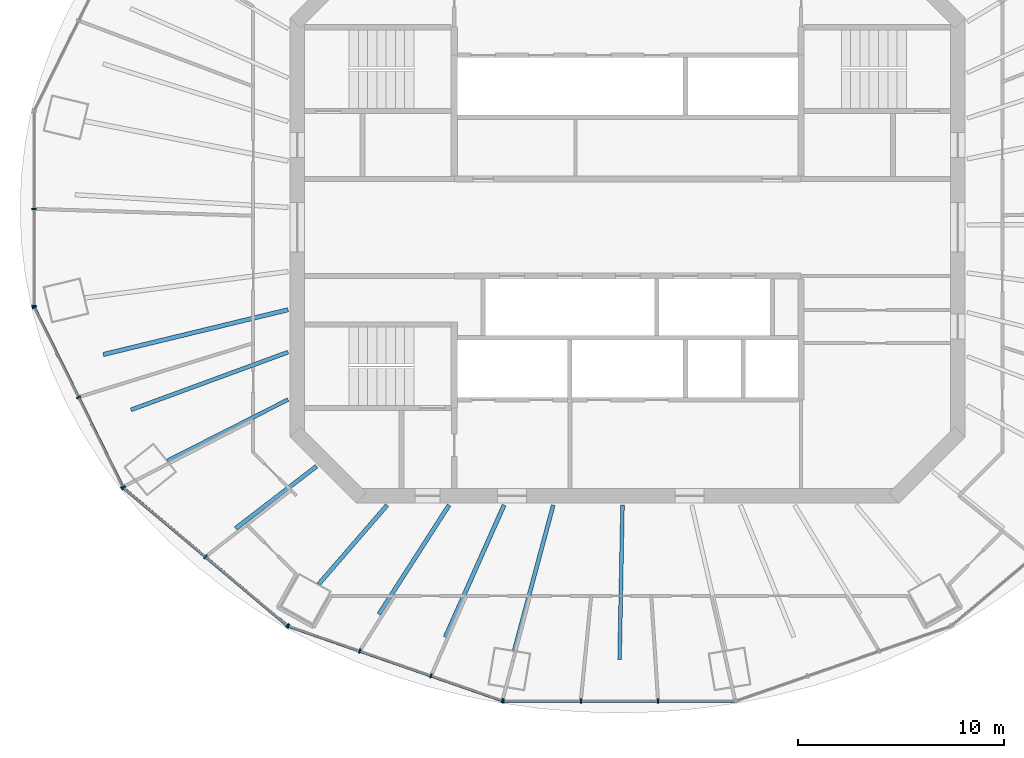
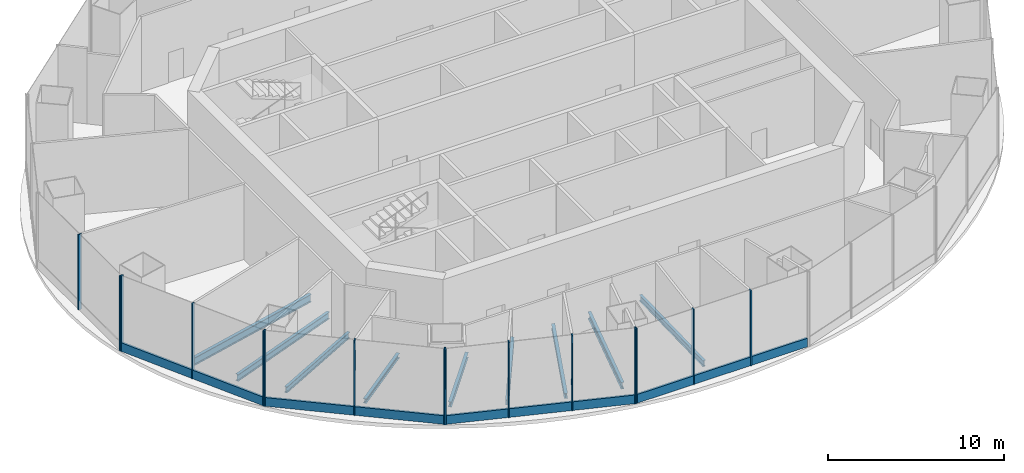
# One storey, part 2 of 12: 19 members, 9 beams, 5 elements without a shape of their own.
"""IFC4 building model written with IfcOpenShell, lengths in metres."""

from ifc_helpers import new_model, si_unit, direction, frame, origin, origin_2d, place, context, subcontext, project, spatial, rectangle, i_section, extrude, material, material_profile, profile_set, type_object, element, aggregate, save


model = new_model("IFC4")

# Units and contexts
model_context = context("Model", 3, precision=1e-05, world=origin(), true_north=direction((0.0, 1.0)))
body_context = subcontext(model_context, "Body", "Model", "MODEL_VIEW")
ifc_project = project(units=[si_unit("LENGTHUNIT", "METRE"), si_unit("AREAUNIT", "SQUARE_METRE"), si_unit("VOLUMEUNIT", "CUBIC_METRE"), si_unit("PLANEANGLEUNIT", "RADIAN"), si_unit("MASSUNIT", "GRAM", prefix="KILO")], contexts=[model_context])

# Site, building, storey
site_placement = place(None, origin())
site = spatial("IfcSite", under=ifc_project, at=site_placement, CompositionType="ELEMENT")
building_placement = place(site_placement, origin())
building = spatial("IfcBuilding", under=site, at=building_placement, Name="Marenthal Gate Tower", CompositionType="ELEMENT")
storey_placement = place(building_placement, frame((0.0, 0.0, 279.10009765625)))
storey = spatial("IfcBuildingStorey", under=building, at=storey_placement, Name="L62", CompositionType="ELEMENT", Elevation=279.10009765625)

# Curtain wall, members
ifc_material_1 = material(Name="Aluminium and glass", Category="aluminium")
curtain_wall_type = type_object("IfcCurtainWallType", Name="Curtain wall sky lobby", PredefinedType="NOTDEFINED", material=ifc_material_1)
curtain_wall_1_placement = place(storey_placement, origin())
curtain_wall_1 = element("IfcCurtainWall", 1, at=curtain_wall_1_placement, inside=storey, type_object=curtain_wall_type, Name="Curtain wall L62 bay 8", PredefinedType="NOTDEFINED")
ifc_material_2 = material(Name="Aluminium", Category="aluminium")
ifc_material_profile_1 = material_profile(ifc_material_2, rectangle(XDim=0.219970703125, YDim=0.070068359375, at=origin_2d()), Name="70x220 aluminium mullion")
ifc_profile_set_1 = profile_set([ifc_material_profile_1], Name="Aluminium")
member_type_1 = type_object("IfcMemberType", Name="Mullion 70x220 sky lobby", PredefinedType="MULLION", material=ifc_profile_set_1)
member_1_placement = place(storey_placement, frame((-28.76220703125, 0.89990234375, 0.0), z_axis=(0.0, 0.0, 1.0), x_axis=(1.0, 0.0, 0.0)))
member_1 = element("IfcMember", 2, at=member_1_placement, type_object=member_type_1, Name="Mullion L62 bay 8.2", PredefinedType="MULLION", context=body_context, shape_type="SweptSolid", body=[
    extrude(rectangle(XDim=0.219970703125, YDim=0.070068359375, at=origin_2d()), origin(), (0.0, 0.0, 1.0), 5.219970703125),
])
member_2_placement = place(storey_placement, frame((-28.76220703125, -3.811279296875, 0.0), z_axis=(0.0, 0.0, 1.0), x_axis=(1.0, 0.0, 0.0)))
member_2 = element("IfcMember", 3, at=member_2_placement, type_object=member_type_1, Name="Mullion L62 bay 8.3", PredefinedType="MULLION", context=body_context, shape_type="SweptSolid", body=[
    extrude(rectangle(XDim=0.219970703125, YDim=0.070068359375, at=origin_2d()), origin(), (0.0, 0.0, 1.0), 5.219970703125),
])
aggregate(curtain_wall_1, [member_1, member_2])

curtain_wall_2_placement = place(storey_placement, origin())
curtain_wall_2 = element("IfcCurtainWall", 4, at=curtain_wall_2_placement, inside=storey, type_object=curtain_wall_type, Name="Curtain wall L62 bay 9", PredefinedType="NOTDEFINED")
member_3_placement = place(storey_placement, frame((-28.7490234375, -3.8681640625, 0.0), z_axis=(0.0, 0.0, 1.0), x_axis=(0.89697015821, 0.442091093871, 0.0)))
member_3 = element("IfcMember", 5, at=member_3_placement, type_object=member_type_1, Name="Mullion L62 bay 9.1", PredefinedType="MULLION", context=body_context, shape_type="SweptSolid", body=[
    extrude(rectangle(XDim=0.219970703125, YDim=0.070068359375, at=origin_2d()), origin(), (0.0, 0.0, 1.0), 5.219970703125),
])
member_4_placement = place(storey_placement, frame((-26.603271484375, -8.2216796875, 0.0), z_axis=(0.0, 0.0, 1.0), x_axis=(0.89697015821, 0.442091093871, 0.0)))
member_4 = element("IfcMember", 6, at=member_4_placement, type_object=member_type_1, Name="Mullion L62 bay 9.2", PredefinedType="MULLION", context=body_context, shape_type="SweptSolid", body=[
    extrude(rectangle(XDim=0.219970703125, YDim=0.070068359375, at=origin_2d()), origin(), (0.0, 0.0, 1.0), 5.219970703125),
])
member_5_placement = place(storey_placement, frame((-24.457763671875, -12.5751953125, 0.0), z_axis=(0.0, 0.0, 1.0), x_axis=(0.89697015821, 0.442091093871, 0.0)))
member_5 = element("IfcMember", 7, at=member_5_placement, type_object=member_type_1, Name="Mullion L62 bay 9.3", PredefinedType="MULLION", context=body_context, shape_type="SweptSolid", body=[
    extrude(rectangle(XDim=0.219970703125, YDim=0.070068359375, at=origin_2d()), origin(), (0.0, 0.0, 1.0), 5.219970703125),
])

curtain_wall_3_placement = place(storey_placement, origin())
curtain_wall_3 = element("IfcCurtainWall", 8, at=curtain_wall_3_placement, inside=storey, type_object=curtain_wall_type, Name="Curtain wall L62 bay 10", PredefinedType="NOTDEFINED")
member_6_placement = place(storey_placement, frame((-24.42138671875, -12.621337890625, 0.0), z_axis=(0.0, 0.0, 1.0), x_axis=(0.643380191367, 0.76554681722, 0.0)))
member_6 = element("IfcMember", 9, at=member_6_placement, type_object=member_type_1, Name="Mullion L62 bay 10.1", PredefinedType="MULLION", context=body_context, shape_type="SweptSolid", body=[
    extrude(rectangle(XDim=0.219970703125, YDim=0.070068359375, at=origin_2d()), origin(), (0.0, 0.0, 1.0), 5.219970703125),
])
member_7_placement = place(storey_placement, frame((-20.455322265625, -15.95458984375, 0.0), z_axis=(0.0, 0.0, 1.0), x_axis=(0.643380191367, 0.76554681722, 0.0)))
member_7 = element("IfcMember", 10, at=member_7_placement, type_object=member_type_1, Name="Mullion L62 bay 10.2", PredefinedType="MULLION", context=body_context, shape_type="SweptSolid", body=[
    extrude(rectangle(XDim=0.219970703125, YDim=0.070068359375, at=origin_2d()), origin(), (0.0, 0.0, 1.0), 5.219970703125),
])
member_8_placement = place(storey_placement, frame((-16.489013671875, -19.287841796875, 0.0), z_axis=(0.0, 0.0, 1.0), x_axis=(0.643380191367, 0.76554681722, 0.0)))
member_8 = element("IfcMember", 11, at=member_8_placement, type_object=member_type_1, Name="Mullion L62 bay 10.3", PredefinedType="MULLION", context=body_context, shape_type="SweptSolid", body=[
    extrude(rectangle(XDim=0.219970703125, YDim=0.070068359375, at=origin_2d()), origin(), (0.0, 0.0, 1.0), 5.219970703125),
])

curtain_wall_4_placement = place(storey_placement, origin())
curtain_wall_4 = element("IfcCurtainWall", 12, at=curtain_wall_4_placement, inside=storey, type_object=curtain_wall_type, Name="Curtain wall L62 bay 11", PredefinedType="NOTDEFINED")
member_9_placement = place(storey_placement, frame((-16.437744140625, -19.317138671875, 0.0), z_axis=(0.0, 0.0, 1.0), x_axis=(0.328756746245, 0.944414634469, 0.0)))
member_9 = element("IfcMember", 13, at=member_9_placement, type_object=member_type_1, Name="Mullion L62 bay 11.1", PredefinedType="MULLION", context=body_context, shape_type="SweptSolid", body=[
    extrude(rectangle(XDim=0.219970703125, YDim=0.070068359375, at=origin_2d()), origin(), (0.0, 0.0, 1.0), 5.219970703125),
])
member_10_placement = place(storey_placement, frame((-12.981689453125, -20.52001953125, 0.0), z_axis=(0.0, 0.0, 1.0), x_axis=(0.328756746245, 0.944414634469, 0.0)))
member_10 = element("IfcMember", 14, at=member_10_placement, type_object=member_type_1, Name="Mullion L62 bay 11.2", PredefinedType="MULLION", context=body_context, shape_type="SweptSolid", body=[
    extrude(rectangle(XDim=0.219970703125, YDim=0.070068359375, at=origin_2d()), origin(), (0.0, 0.0, 1.0), 5.219970703125),
])
member_11_placement = place(storey_placement, frame((-9.52587890625, -21.72314453125, 0.0), z_axis=(0.0, 0.0, 1.0), x_axis=(0.328756746245, 0.944414634469, 0.0)))
member_11 = element("IfcMember", 15, at=member_11_placement, type_object=member_type_1, Name="Mullion L62 bay 11.3", PredefinedType="MULLION", context=body_context, shape_type="SweptSolid", body=[
    extrude(rectangle(XDim=0.219970703125, YDim=0.070068359375, at=origin_2d()), origin(), (0.0, 0.0, 1.0), 5.219970703125),
])
member_12_placement = place(storey_placement, frame((-6.070068359375, -22.926025390625, 0.0), z_axis=(0.0, 0.0, 1.0), x_axis=(0.328756746245, 0.944414634469, 0.0)))
member_12 = element("IfcMember", 16, at=member_12_placement, type_object=member_type_1, Name="Mullion L62 bay 11.4", PredefinedType="MULLION", context=body_context, shape_type="SweptSolid", body=[
    extrude(rectangle(XDim=0.219970703125, YDim=0.070068359375, at=origin_2d()), origin(), (0.0, 0.0, 1.0), 5.219970703125),
])

curtain_wall_5_placement = place(storey_placement, origin())
curtain_wall_5 = element("IfcCurtainWall", 17, at=curtain_wall_5_placement, inside=storey, type_object=curtain_wall_type, Name="Curtain wall L62 bay 12", PredefinedType="NOTDEFINED")
member_13_placement = place(storey_placement, frame((-6.01171875, -22.93603515625, 0.0), z_axis=(0.0, 0.0, 1.0), x_axis=(0.0, 1.0, 0.0)))
member_13 = element("IfcMember", 18, at=member_13_placement, type_object=member_type_1, Name="Mullion L62 bay 12.1", PredefinedType="MULLION", context=body_context, shape_type="SweptSolid", body=[
    extrude(rectangle(XDim=0.219970703125, YDim=0.070068359375, at=origin_2d()), origin(), (0.0, 0.0, 1.0), 5.219970703125),
])
member_14_placement = place(storey_placement, frame((-2.2705078125, -22.93603515625, 0.0), z_axis=(0.0, 0.0, 1.0), x_axis=(0.0, 1.0, 0.0)))
member_14 = element("IfcMember", 19, at=member_14_placement, type_object=member_type_1, Name="Mullion L62 bay 12.2", PredefinedType="MULLION", context=body_context, shape_type="SweptSolid", body=[
    extrude(rectangle(XDim=0.219970703125, YDim=0.070068359375, at=origin_2d()), origin(), (0.0, 0.0, 1.0), 5.219970703125),
])
member_15_placement = place(storey_placement, frame((1.470458984375, -22.93603515625, 0.0), z_axis=(0.0, 0.0, 1.0), x_axis=(0.0, 1.0, 0.0)))
member_15 = element("IfcMember", 20, at=member_15_placement, type_object=member_type_1, Name="Mullion L62 bay 12.3", PredefinedType="MULLION", context=body_context, shape_type="SweptSolid", body=[
    extrude(rectangle(XDim=0.219970703125, YDim=0.070068359375, at=origin_2d()), origin(), (0.0, 0.0, 1.0), 5.219970703125),
])

# Member
ifc_material_3 = material(Name="Aluminium", Category="aluminium")
ifc_material_profile_2 = material_profile(ifc_material_3, rectangle(XDim=0.139892578125, YDim=0.60009765625, at=origin_2d()), Name="140x600 aluminium transom")
ifc_profile_set_2 = profile_set([ifc_material_profile_2], Name="Aluminium")
member_type_2 = type_object("IfcMemberType", Name="Transom 140x600 sky lobby", PredefinedType="USERDEFINED", material=ifc_profile_set_2)
member_16_placement = place(storey_placement, frame((-28.733642578125, -3.899658203125, 0.2998046875), z_axis=(0.442099023513, -0.896966249872, 0.0), x_axis=(0.896966249872, 0.442099023513, 0.0)))
member_16 = element("IfcMember", 21, at=member_16_placement, type_object=member_type_2, Name="Transom L62 bay 9", ObjectType="TRANSOM", PredefinedType="USERDEFINED", context=body_context, shape_type="SweptSolid", body=[
    extrude(rectangle(XDim=0.139892578125, YDim=0.60009765625, at=origin_2d()), origin(), (0.0, 0.0, 1.0), 9.636962890625),
])

aggregate(curtain_wall_2, [member_3, member_4, member_5, member_16])

member_17_placement = place(storey_placement, frame((-24.39453125, -12.643798828125, 0.2998046875), z_axis=(0.765537070273, -0.643391788911, 0.0), x_axis=(0.643391788911, 0.765537070273, 0.0)))
member_17 = element("IfcMember", 22, at=member_17_placement, type_object=member_type_2, Name="Transom L62 bay 10", ObjectType="TRANSOM", PredefinedType="USERDEFINED", context=body_context, shape_type="SweptSolid", body=[
    extrude(rectangle(XDim=0.139892578125, YDim=0.60009765625, at=origin_2d()), origin(), (0.0, 0.0, 1.0), 10.291748046875),
])

aggregate(curtain_wall_3, [member_6, member_7, member_8, member_17])

member_18_placement = place(storey_placement, frame((-16.404541015625, -19.32861328125, 0.2998046875), z_axis=(0.944417053534, -0.32874979695, 0.0), x_axis=(0.32874979695, 0.944417053534, 0.0)))
member_18 = element("IfcMember", 23, at=member_18_placement, type_object=member_type_2, Name="Transom L62 bay 11", ObjectType="TRANSOM", PredefinedType="USERDEFINED", context=body_context, shape_type="SweptSolid", body=[
    extrude(rectangle(XDim=0.139892578125, YDim=0.60009765625, at=origin_2d()), origin(), (0.0, 0.0, 1.0), 10.90771484375),
])

aggregate(curtain_wall_4, [member_9, member_10, member_11, member_12, member_18])

member_19_placement = place(storey_placement, frame((-5.9765625, -22.93603515625, 0.2998046875), z_axis=(1.0, 0.0, 0.0), x_axis=(0.0, 1.0, 0.0)))
member_19 = element("IfcMember", 24, at=member_19_placement, type_object=member_type_2, Name="Transom L62 bay 12", ObjectType="TRANSOM", PredefinedType="USERDEFINED", context=body_context, shape_type="SweptSolid", body=[
    extrude(rectangle(XDim=0.139892578125, YDim=0.60009765625, at=origin_2d()), origin(), (0.0, 0.0, 1.0), 11.153076171875),
])

aggregate(curtain_wall_5, [member_13, member_14, member_15, member_19])

# Beams
ifc_material_4 = material(Name="Steel S355", Category="steel")
ifc_material_profile_3 = material_profile(ifc_material_4, i_section(OverallWidth=0.205078125, OverallDepth=0.31005859375, WebThickness=0.009521484375, FlangeThickness=0.016357421875, FilletRadius=0.0126953125, at=origin_2d()), Name="W310X74")
ifc_profile_set_3 = profile_set([ifc_material_profile_3], Name="Steel S355")
beam_type_1 = type_object("IfcBeamType", Name="W310X74 beam", PredefinedType="BEAM", material=ifc_profile_set_3)
beam_1_placement = place(storey_placement, frame((-18.993408203125, -14.577880859375, -0.405029296875), z_axis=(0.793274950461, 0.608863575007, 0.0), x_axis=(-0.608863575007, 0.793274950461, 0.0)))
element("IfcBeam", 25, at=beam_1_placement, inside=storey, type_object=beam_type_1, Name="BM-L62-31", PredefinedType="BEAM", context=body_context, shape_type="SweptSolid", body=[
    extrude(i_section(OverallWidth=0.205078125, OverallDepth=0.31005859375, WebThickness=0.009521484375, FlangeThickness=0.016357421875, FilletRadius=0.0126953125, at=origin_2d()), origin(), (0.0, 0.0, 1.0), 4.946044921875),
])
ifc_material_5 = material(Name="Steel S355", Category="steel")
ifc_material_profile_4 = material_profile(ifc_material_5, i_section(OverallWidth=0.205078125, OverallDepth=0.35302734375, WebThickness=0.009521484375, FlangeThickness=0.016845703125, FilletRadius=0.014892578125, at=origin_2d()), Name="W360X79")
ifc_profile_set_4 = profile_set([ifc_material_profile_4], Name="Steel S355")
beam_type_2 = type_object("IfcBeamType", Name="W360X79 beam", PredefinedType="BEAM", material=ifc_profile_set_4)
beam_2_placement = place(storey_placement, frame((-14.96923828125, -17.279052734375, -0.426513671875), z_axis=(0.654770906461, 0.755827400967, 0.0), x_axis=(-0.755827400967, 0.654770906461, 0.0)))
element("IfcBeam", 26, at=beam_2_placement, inside=storey, type_object=beam_type_2, Name="BM-L62-11", PredefinedType="BEAM", context=body_context, shape_type="SweptSolid", body=[
    extrude(i_section(OverallWidth=0.205078125, OverallDepth=0.35302734375, WebThickness=0.009521484375, FlangeThickness=0.016845703125, FilletRadius=0.014892578125, at=origin_2d()), origin(), (0.0, 0.0, 1.0), 5.066162109375),
])
beam_3_placement = place(storey_placement, frame((-12.052490234375, -18.73486328125, -0.426513671875), z_axis=(0.54103442564, 0.84100044606, 0.0), x_axis=(-0.84100044606, 0.54103442564, 0.0)))
element("IfcBeam", 27, at=beam_3_placement, inside=storey, type_object=beam_type_2, Name="BM-L62-32", PredefinedType="BEAM", context=body_context, shape_type="SweptSolid", body=[
    extrude(i_section(OverallWidth=0.205078125, OverallDepth=0.35302734375, WebThickness=0.009521484375, FlangeThickness=0.016845703125, FilletRadius=0.014892578125, at=origin_2d()), origin(), (0.0, 0.0, 1.0), 6.2841796875),
])
beam_4_placement = place(storey_placement, frame((-8.834716796875, -19.8427734375, -0.426513671875), z_axis=(0.406756642127, 0.913536553229, 0.0), x_axis=(-0.913536553229, 0.406756642127, 0.0)))
element("IfcBeam", 28, at=beam_4_placement, inside=storey, type_object=beam_type_2, Name="BM-L62-33", PredefinedType="BEAM", context=body_context, shape_type="SweptSolid", body=[
    extrude(i_section(OverallWidth=0.205078125, OverallDepth=0.35302734375, WebThickness=0.009521484375, FlangeThickness=0.016845703125, FilletRadius=0.014892578125, at=origin_2d()), origin(), (0.0, 0.0, 1.0), 6.997802734375),
])
ifc_material_6 = material(Name="Steel S355", Category="steel")
ifc_material_profile_5 = material_profile(ifc_material_6, i_section(OverallWidth=0.180908203125, OverallDepth=0.4169921875, WebThickness=0.010986328125, FlangeThickness=0.018310546875, FilletRadius=0.01025390625, at=origin_2d()), Name="W410X85")
ifc_profile_set_5 = profile_set([ifc_material_profile_5], Name="Steel S355")
beam_type_3 = type_object("IfcBeamType", Name="W410X85 beam", PredefinedType="BEAM", material=ifc_profile_set_5)
beam_5_placement = place(storey_placement, frame((-22.28759765625, -11.296875, -0.45849609375), z_axis=(0.891959161906, 0.452115973498, 0.0), x_axis=(-0.452115973498, 0.891959161906, 0.0)))
element("IfcBeam", 29, at=beam_5_placement, inside=storey, type_object=beam_type_3, Name="BM-L62-10", PredefinedType="BEAM", context=body_context, shape_type="SweptSolid", body=[
    extrude(i_section(OverallWidth=0.180908203125, OverallDepth=0.4169921875, WebThickness=0.010986328125, FlangeThickness=0.018310546875, FilletRadius=0.01025390625, at=origin_2d()), origin(), (0.0, 0.0, 1.0), 6.544677734375),
])
beam_6_placement = place(storey_placement, frame((-0.3916015625, -20.936279296875, -0.45849609375), z_axis=(0.018683145891, 0.999825454797, 0.0), x_axis=(-0.999825454797, 0.018683145891, 0.0)))
element("IfcBeam", 30, at=beam_6_placement, inside=storey, type_object=beam_type_3, Name="BM-L62-34", PredefinedType="BEAM", context=body_context, shape_type="SweptSolid", body=[
    extrude(i_section(OverallWidth=0.180908203125, OverallDepth=0.4169921875, WebThickness=0.010986328125, FlangeThickness=0.018310546875, FilletRadius=0.01025390625, at=origin_2d()), origin(), (0.0, 0.0, 1.0), 7.487548828125),
])
ifc_material_7 = material(Name="Steel S355", Category="steel")
ifc_material_profile_6 = material_profile(ifc_material_7, i_section(OverallWidth=0.193115234375, OverallDepth=0.467041015625, WebThickness=0.011474609375, FlangeThickness=0.01904296875, FilletRadius=0.010009765625, at=origin_2d()), Name="W460X97")
ifc_profile_set_6 = profile_set([ifc_material_profile_6], Name="Steel S355")
beam_type_4 = type_object("IfcBeamType", Name="W460X97 beam", PredefinedType="BEAM", material=ifc_profile_set_6)
beam_7_placement = place(storey_placement, frame((-5.49267578125, -20.488525390625, -0.483642578125), z_axis=(0.258944852546, 0.965892107505, 0.0), x_axis=(-0.965892107505, 0.258944852546, 0.0)))
element("IfcBeam", 31, at=beam_7_placement, inside=storey, type_object=beam_type_4, Name="BM-L62-12", PredefinedType="BEAM", context=body_context, shape_type="SweptSolid", body=[
    extrude(i_section(OverallWidth=0.193115234375, OverallDepth=0.467041015625, WebThickness=0.011474609375, FlangeThickness=0.01904296875, FilletRadius=0.010009765625, at=origin_2d()), origin(), (0.0, 0.0, 1.0), 7.287109375),
])
beam_8_placement = place(storey_placement, frame((-24.06640625, -8.837646484375, -0.483642578125), z_axis=(0.938709902265, 0.34470816554, 0.0), x_axis=(-0.34470816554, 0.938709902265, 0.0)))
element("IfcBeam", 32, at=beam_8_placement, inside=storey, type_object=beam_type_4, Name="BM-L62-30", PredefinedType="BEAM", context=body_context, shape_type="SweptSolid", body=[
    extrude(i_section(OverallWidth=0.193115234375, OverallDepth=0.467041015625, WebThickness=0.011474609375, FlangeThickness=0.01904296875, FilletRadius=0.010009765625, at=origin_2d()), origin(), (0.0, 0.0, 1.0), 8.11376953125),
])
ifc_material_8 = material(Name="Steel S355", Category="steel")
ifc_material_profile_7 = material_profile(ifc_material_8, i_section(OverallWidth=0.2099609375, OverallDepth=0.535888671875, WebThickness=0.010986328125, FlangeThickness=0.017333984375, FilletRadius=0.0126953125, at=origin_2d()), Name="W530X101")
ifc_profile_set_7 = profile_set([ifc_material_profile_7], Name="Steel S355")
beam_type_5 = type_object("IfcBeamType", Name="W530X101 beam", PredefinedType="BEAM", material=ifc_profile_set_7)
beam_9_placement = place(storey_placement, frame((-25.4033203125, -6.15478515625, -0.51806640625), z_axis=(0.97188301025, 0.235464252886, 0.0), x_axis=(-0.235464252886, 0.97188301025, 0.0)))
element("IfcBeam", 33, at=beam_9_placement, inside=storey, type_object=beam_type_5, Name="BM-L62-29", PredefinedType="BEAM", context=body_context, shape_type="SweptSolid", body=[
    extrude(i_section(OverallWidth=0.2099609375, OverallDepth=0.535888671875, WebThickness=0.010986328125, FlangeThickness=0.017333984375, FilletRadius=0.0126953125, at=origin_2d()), origin(), (0.0, 0.0, 1.0), 9.21240234375),
])

save(model, "model.ifc")
